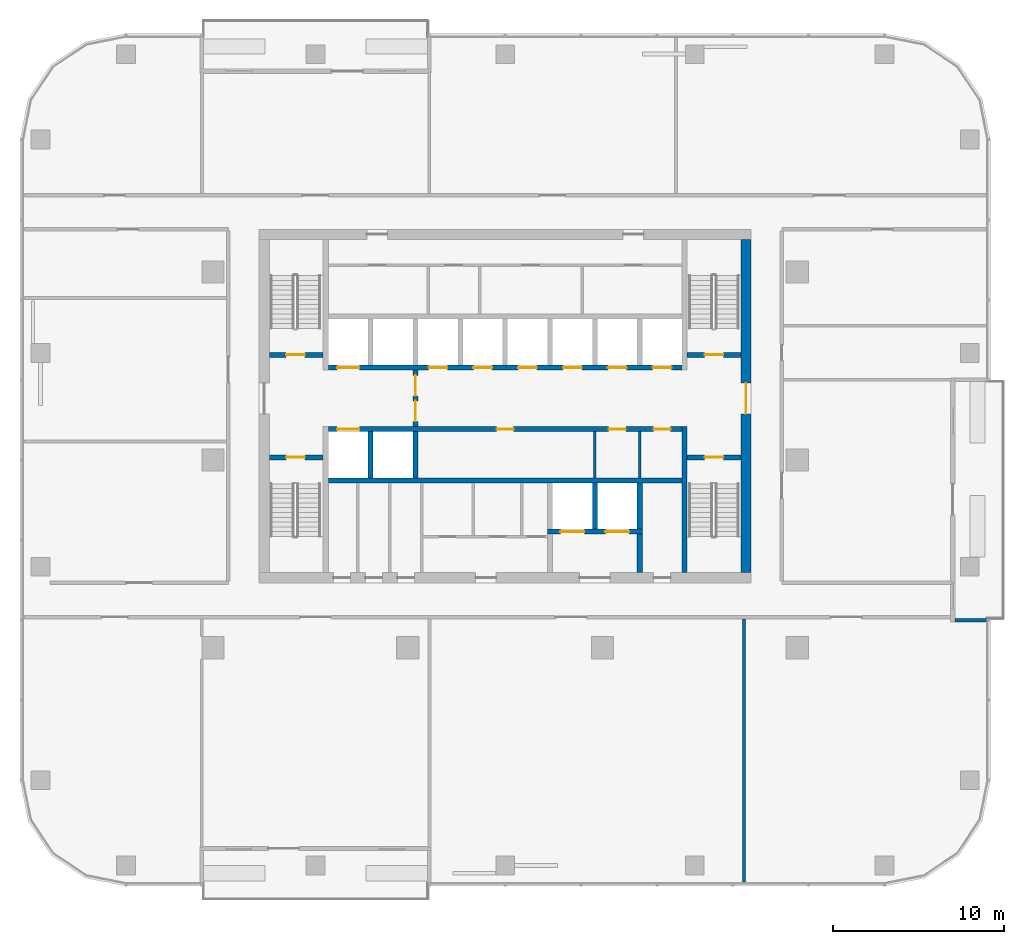
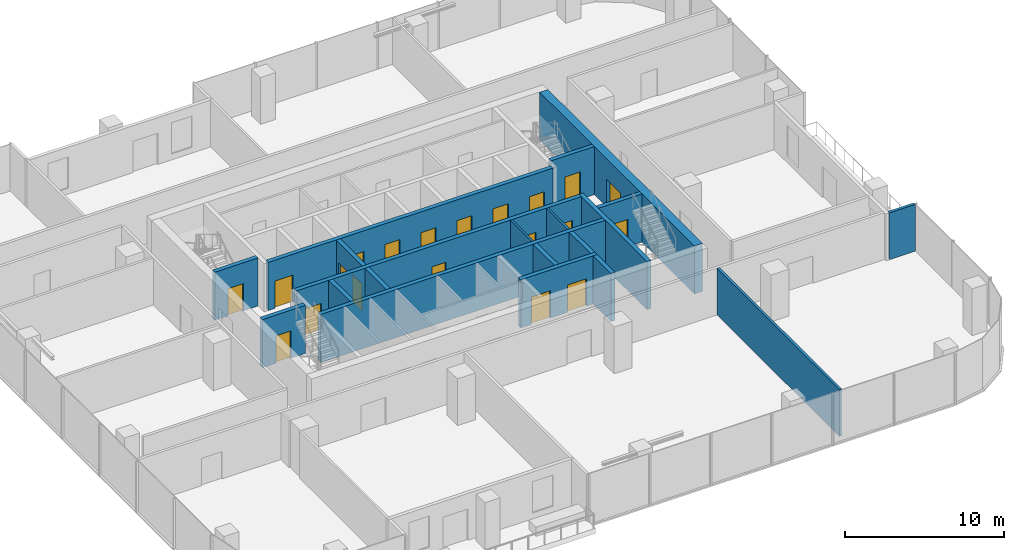
# One storey, part 8 of 14: 20 doors, 20 walls, 20 openings.
"""IFC4 building model written with IfcOpenShell, lengths in metres."""

from ifc_helpers import new_model, si_unit, direction, frame, frame_2d, origin, place, context, subcontext, project, spatial, rectangle, extrude, material, layer, layer_set, type_object, element, fill, save


model = new_model("IFC4")

# Units and contexts
model_context = context("Model", 3, precision=1e-05, world=origin(), true_north=direction((0.0, 1.0)))
body_context = subcontext(model_context, "Body", "Model", "MODEL_VIEW")
ifc_project = project(units=[si_unit("LENGTHUNIT", "METRE"), si_unit("AREAUNIT", "SQUARE_METRE"), si_unit("VOLUMEUNIT", "CUBIC_METRE"), si_unit("PLANEANGLEUNIT", "RADIAN"), si_unit("MASSUNIT", "GRAM", prefix="KILO")], contexts=[model_context])

# Site, building, storey
site_placement = place(None, origin())
site = spatial("IfcSite", under=ifc_project, at=site_placement, CompositionType="ELEMENT")
building_placement = place(site_placement, origin())
building = spatial("IfcBuilding", under=site, at=building_placement, Name="Mopane Tessera Tower", CompositionType="ELEMENT")
storey_placement = place(building_placement, frame((0.0, 0.0, 231.0)))
storey = spatial("IfcBuildingStorey", under=building, at=storey_placement, Name="L49", CompositionType="ELEMENT", Elevation=231.0)

# Walls
ifc_material_1 = material(Name="Fire-rated gypsum board partition")
ifc_layer_1 = layer(ifc_material_1, 0.14990234375)
ifc_layer_set_1 = layer_set([ifc_layer_1], Name="Fire-rated gypsum board partition")
wall_type_1 = type_object("IfcWallType", Name="Core room partition 150 mm", PredefinedType="PARTITIONING", material=ifc_layer_set_1)
for number, where, z_axis, x_axis, name in (
    (1, (5.25, -1.050048828125, 0.0), (0.0, 0.0, 1.0), (0.0, 1.0, 0.0), "L49 Room partition"),
    (2, (7.875, -1.050048828125, 0.0), (0.0, 0.0, 1.0), (0.0, 1.0, 0.0), "L49 Room partition"),
):
    element("IfcWall", number, at=place(storey_placement, frame(where, z_axis=z_axis, x_axis=x_axis)), inside=storey, type_object=wall_type_1, Name=name, PredefinedType="PARTITIONING", context=body_context, shape_type="SweptSolid", body=[
        extrude(rectangle(XDim=2.699951171875, YDim=0.14990234375, at=frame_2d((1.35009765625, 0.0))), origin(), (0.0, 0.0, 1.0), 3.699951171875),
    ])

# Wall, opening, door
ifc_material_2 = material(Name="Concrete C70/85", Category="concrete")
ifc_layer_2 = layer(ifc_material_2, 0.60009765625)
ifc_layer_set_2 = layer_set([ifc_layer_2], Name="Concrete C70/85")
wall_type_2 = type_object("IfcWallType", Name="Core shear wall 600 mm", PredefinedType="SHEAR", material=ifc_layer_set_2)
wall_1_placement = place(storey_placement, frame((14.10009765625, -6.60009765625, 0.0), z_axis=(0.0, 0.0, 1.0), x_axis=(0.0, 1.0, 0.0)))
wall_1 = element("IfcWall", 3, at=wall_1_placement, inside=storey, type_object=wall_type_2, Name="L49 Core wall east", PredefinedType="SHEAR", context=body_context, shape_type="SweptSolid", body=[
    extrude(rectangle(XDim=19.5, YDim=0.60009765625, at=frame_2d((9.75, 0.0))), origin(), (0.0, 0.0, 1.0), 3.699951171875),
])
opening_1_placement = place(wall_1_placement, frame((9.300048828125, 0.0, 0.0)))
opening_1 = element("IfcOpeningElement", 4, at=opening_1_placement, cuts=wall_1, Name="Opening SD2", PredefinedType="OPENING", context=body_context, shape_type="SweptSolid", body=[
    extrude(rectangle(XDim=1.800048828125, YDim=2.10009765625, at=frame_2d((0.89990234375, 1.050048828125))), frame((0.0, 0.31201171875, 0.0), z_axis=(0.0, -1.0, 0.0), x_axis=(1.0, 0.0, 0.0)), (0.0, 0.0, 1.0), 0.6240234375),
])
ifc_material_3 = material(Name="Steel fire door", Category="steel")
door_type_1 = type_object("IfcDoorType", Name="Core entrance double door 1800 x 2100", OperationType="DOUBLE_DOOR_SINGLE_SWING", PredefinedType="DOOR", material=ifc_material_3)
door_1_placement = place(opening_1_placement, origin())
door_1 = element("IfcDoor", 5, at=door_1_placement, inside=storey, type_object=door_type_1, Name="L49 Core entrance door east", OperationType="DOUBLE_DOOR_SINGLE_SWING", OverallHeight=2.10009765625, OverallWidth=1.800048828125, PredefinedType="DOOR", context=body_context, shape_type="SweptSolid", body=[
    extrude(rectangle(XDim=1.800048828125, YDim=2.10009765625, at=frame_2d((0.89990234375, 1.050048828125))), frame((0.0, 0.02490234375, 0.0), z_axis=(0.0, -1.0, 0.0), x_axis=(1.0, 0.0, 0.0)), (0.0, 0.0, 1.0), 0.050048828125),
])
fill(opening_1, door_1)

# Walls
ifc_material_4 = material(Name="Concrete C60/75", Category="concrete")
ifc_layer_3 = layer(ifc_material_4, 0.300048828125)
ifc_layer_set_3 = layer_set([ifc_layer_3], Name="Concrete C60/75")
wall_type_3 = type_object("IfcWallType", Name="Core spine wall 300 mm", PredefinedType="SHEAR", material=ifc_layer_set_3)
wall_2_placement = place(storey_placement, frame((10.5, -6.60009765625, 0.0), z_axis=(0.0, 0.0, 1.0), x_axis=(0.0, 1.0, 0.0)))
element("IfcWall", 6, at=wall_2_placement, inside=storey, type_object=wall_type_3, Name="L49 Core spine wall", PredefinedType="SHEAR", context=body_context, shape_type="SweptSolid", body=[
    extrude(rectangle(XDim=8.550048828125, YDim=0.300048828125, at=frame_2d((4.27490234375, 0.0))), origin(), (0.0, 0.0, 1.0), 3.699951171875),
])
ifc_material_5 = material(Name="Gypsum board on staggered steel studs, double layer each face, acoustic mineral wool infill", Category="steel")
ifc_layer_4 = layer(ifc_material_5, 0.175048828125)
ifc_layer_set_4 = layer_set([ifc_layer_4], Name="Gypsum board on staggered steel studs, double layer each face, acoustic mineral wool infill")
wall_type_4 = type_object("IfcWallType", Name="Gypsum board acoustic partition 175, rated EI 60", PredefinedType="PARTITIONING", material=ifc_layer_set_4)
wall_3_placement = place(storey_placement, frame((13.97509765625, -24.699951171875, 0.0), z_axis=(0.0, 0.0, 1.0), x_axis=(0.0, 1.0, 0.0)))
element("IfcWall", 7, at=wall_3_placement, inside=storey, type_object=wall_type_4, Name="Partition L49:017", PredefinedType="PARTITIONING", context=body_context, shape_type="SweptSolid", body=[
    extrude(rectangle(XDim=15.39990234375, YDim=0.175048828125, at=frame_2d((7.699951171875, 0.0))), origin(), (0.0, 0.0, 1.0), 3.60009765625),
])

# Wall, opening, door
ifc_material_6 = material(Name="Concrete C50/60", Category="concrete")
ifc_layer_5 = layer(ifc_material_6, 0.300048828125)
ifc_layer_set_5 = layer_set([ifc_layer_5], Name="Concrete C50/60")
wall_type_5 = type_object("IfcWallType", Name="Lift and stair shaft wall 300 mm", PredefinedType="SOLIDWALL", material=ifc_layer_set_5)
wall_4_placement = place(storey_placement, frame((-13.800048828125, 0.14990234375, 0.0), z_axis=(0.0, 0.0, 1.0), x_axis=(1.0, 0.0, 0.0)))
wall_4 = element("IfcWall", 8, at=wall_4_placement, inside=storey, type_object=wall_type_5, Name="L49 Stair enclosure wall", PredefinedType="SOLIDWALL", context=body_context, shape_type="SweptSolid", body=[
    extrude(rectangle(XDim=3.150146484375, YDim=0.300048828125, at=frame_2d((1.5751953125, 0.0))), origin(), (0.0, 0.0, 1.0), 3.699951171875),
])
opening_2_placement = place(wall_4_placement, frame((0.97509765625, 0.0, 0.0)))
opening_2 = element("IfcOpeningElement", 9, at=opening_2_placement, cuts=wall_4, Name="Opening SD1", PredefinedType="OPENING", context=body_context, shape_type="SweptSolid", body=[
    extrude(rectangle(XDim=1.10009765625, YDim=2.10009765625, at=frame_2d((0.550048828125, 1.050048828125))), frame((0.0, 0.162109375, 0.0), z_axis=(0.0, -1.0, 0.0), x_axis=(1.0, 0.0, 0.0)), (0.0, 0.0, 1.0), 0.323974609375),
])
ifc_material_7 = material(Name="Steel fire door", Category="steel")
door_type_2 = type_object("IfcDoorType", Name="Stair fire door 1100 x 2100", OperationType="SINGLE_SWING_LEFT", PredefinedType="DOOR", material=ifc_material_7)
door_2_placement = place(opening_2_placement, origin())
door_2 = element("IfcDoor", 10, at=door_2_placement, inside=storey, type_object=door_type_2, Name="L49 Stair door ST1", OperationType="SINGLE_SWING_LEFT", OverallHeight=2.10009765625, OverallWidth=1.10009765625, PredefinedType="DOOR", context=body_context, shape_type="SweptSolid", body=[
    extrude(rectangle(XDim=1.10009765625, YDim=2.10009765625, at=frame_2d((0.550048828125, 1.050048828125))), frame((0.0, 0.02490234375, 0.0), z_axis=(0.0, -1.0, 0.0), x_axis=(1.0, 0.0, 0.0)), (0.0, 0.0, 1.0), 0.050048828125),
])
fill(opening_2, door_2)

wall_5_placement = place(storey_placement, frame((-13.800048828125, 6.14990234375, 0.0), z_axis=(0.0, 0.0, 1.0), x_axis=(1.0, 0.0, 0.0)))
wall_5 = element("IfcWall", 11, at=wall_5_placement, inside=storey, type_object=wall_type_5, Name="L49 Stair enclosure wall", PredefinedType="SOLIDWALL", context=body_context, shape_type="SweptSolid", body=[
    extrude(rectangle(XDim=3.150146484375, YDim=0.300048828125, at=frame_2d((1.5751953125, 0.0))), origin(), (0.0, 0.0, 1.0), 3.699951171875),
])
opening_3_placement = place(wall_5_placement, frame((0.97509765625, 0.0, 0.0)))
opening_3 = element("IfcOpeningElement", 12, at=opening_3_placement, cuts=wall_5, Name="Opening SD1", PredefinedType="OPENING", context=body_context, shape_type="SweptSolid", body=[
    extrude(rectangle(XDim=1.10009765625, YDim=2.10009765625, at=frame_2d((0.550048828125, 1.050048828125))), frame((0.0, 0.162109375, 0.0), z_axis=(0.0, -1.0, 0.0), x_axis=(1.0, 0.0, 0.0)), (0.0, 0.0, 1.0), 0.323974609375),
])
door_3_placement = place(opening_3_placement, origin())
door_3 = element("IfcDoor", 13, at=door_3_placement, inside=storey, type_object=door_type_2, Name="L49 Stair door ST2", OperationType="SINGLE_SWING_LEFT", OverallHeight=2.10009765625, OverallWidth=1.10009765625, PredefinedType="DOOR", context=body_context, shape_type="SweptSolid", body=[
    extrude(rectangle(XDim=1.10009765625, YDim=2.10009765625, at=frame_2d((0.550048828125, 1.050048828125))), frame((0.0, 0.02490234375, 0.0), z_axis=(0.0, -1.0, 0.0), x_axis=(1.0, 0.0, 0.0)), (0.0, 0.0, 1.0), 0.050048828125),
])
fill(opening_3, door_3)

wall_6_placement = place(storey_placement, frame((10.64990234375, 0.14990234375, 0.0), z_axis=(0.0, 0.0, 1.0), x_axis=(1.0, 0.0, 0.0)))
wall_6 = element("IfcWall", 14, at=wall_6_placement, inside=storey, type_object=wall_type_5, Name="L49 Stair enclosure wall", PredefinedType="SOLIDWALL", context=body_context, shape_type="SweptSolid", body=[
    extrude(rectangle(XDim=3.150146484375, YDim=0.300048828125, at=frame_2d((1.5751953125, 0.0))), origin(), (0.0, 0.0, 1.0), 3.699951171875),
])
opening_4_placement = place(wall_6_placement, frame((1.02490234375, 0.0, 0.0)))
opening_4 = element("IfcOpeningElement", 15, at=opening_4_placement, cuts=wall_6, Name="Opening SD1", PredefinedType="OPENING", context=body_context, shape_type="SweptSolid", body=[
    extrude(rectangle(XDim=1.10009765625, YDim=2.10009765625, at=frame_2d((0.550048828125, 1.050048828125))), frame((0.0, 0.162109375, 0.0), z_axis=(0.0, -1.0, 0.0), x_axis=(1.0, 0.0, 0.0)), (0.0, 0.0, 1.0), 0.323974609375),
])
door_4_placement = place(opening_4_placement, origin())
door_4 = element("IfcDoor", 16, at=door_4_placement, inside=storey, type_object=door_type_2, Name="L49 Stair door ST3", OperationType="SINGLE_SWING_RIGHT", OverallHeight=2.10009765625, OverallWidth=1.10009765625, PredefinedType="DOOR", context=body_context, shape_type="SweptSolid", body=[
    extrude(rectangle(XDim=1.10009765625, YDim=2.10009765625, at=frame_2d((0.550048828125, 1.050048828125))), frame((0.0, 0.02490234375, 0.0), z_axis=(0.0, -1.0, 0.0), x_axis=(1.0, 0.0, 0.0)), (0.0, 0.0, 1.0), 0.050048828125),
])
fill(opening_4, door_4)

wall_7_placement = place(storey_placement, frame((10.64990234375, 6.14990234375, 0.0), z_axis=(0.0, 0.0, 1.0), x_axis=(1.0, 0.0, 0.0)))
wall_7 = element("IfcWall", 17, at=wall_7_placement, inside=storey, type_object=wall_type_5, Name="L49 Stair enclosure wall", PredefinedType="SOLIDWALL", context=body_context, shape_type="SweptSolid", body=[
    extrude(rectangle(XDim=3.150146484375, YDim=0.300048828125, at=frame_2d((1.5751953125, 0.0))), origin(), (0.0, 0.0, 1.0), 3.699951171875),
])
opening_5_placement = place(wall_7_placement, frame((1.02490234375, 0.0, 0.0)))
opening_5 = element("IfcOpeningElement", 18, at=opening_5_placement, cuts=wall_7, Name="Opening SD1", PredefinedType="OPENING", context=body_context, shape_type="SweptSolid", body=[
    extrude(rectangle(XDim=1.10009765625, YDim=2.10009765625, at=frame_2d((0.550048828125, 1.050048828125))), frame((0.0, 0.162109375, 0.0), z_axis=(0.0, -1.0, 0.0), x_axis=(1.0, 0.0, 0.0)), (0.0, 0.0, 1.0), 0.323974609375),
])
door_5_placement = place(opening_5_placement, origin())
door_5 = element("IfcDoor", 19, at=door_5_placement, inside=storey, type_object=door_type_2, Name="L49 Stair door ST4", OperationType="SINGLE_SWING_RIGHT", OverallHeight=2.10009765625, OverallWidth=1.10009765625, PredefinedType="DOOR", context=body_context, shape_type="SweptSolid", body=[
    extrude(rectangle(XDim=1.10009765625, YDim=2.10009765625, at=frame_2d((0.550048828125, 1.050048828125))), frame((0.0, 0.02490234375, 0.0), z_axis=(0.0, -1.0, 0.0), x_axis=(1.0, 0.0, 0.0)), (0.0, 0.0, 1.0), 0.050048828125),
])
fill(opening_5, door_5)

# Wall
wall_8_placement = place(storey_placement, frame((-10.35009765625, -1.199951171875, 0.0), z_axis=(0.0, 0.0, 1.0), x_axis=(1.0, 0.0, 0.0)))
element("IfcWall", 20, at=wall_8_placement, inside=storey, type_object=wall_type_5, Name="L49 Lift shaft rear wall", PredefinedType="SOLIDWALL", context=body_context, shape_type="SweptSolid", body=[
    extrude(rectangle(XDim=20.7001953125, YDim=0.300048828125, at=frame_2d((10.35009765625, 0.0))), origin(), (0.0, 0.0, 1.0), 3.699951171875),
])

# Wall, openings, doors
wall_9_placement = place(storey_placement, frame((-10.35009765625, 1.800048828125, 0.0), z_axis=(0.0, 0.0, 1.0), x_axis=(1.0, 0.0, 0.0)))
wall_9 = element("IfcWall", 21, at=wall_9_placement, inside=storey, type_object=wall_type_5, Name="L49 Lift shaft front wall", PredefinedType="SOLIDWALL", context=body_context, shape_type="SweptSolid", body=[
    extrude(rectangle(XDim=20.7001953125, YDim=0.300048828125, at=frame_2d((10.35009765625, 0.0))), origin(), (0.0, 0.0, 1.0), 3.699951171875),
])
opening_6_placement = place(wall_9_placement, frame((0.512451171875, 0.0, 0.0)))
opening_6 = element("IfcOpeningElement", 22, at=opening_6_placement, cuts=wall_9, Name="Opening LD2", PredefinedType="OPENING", context=body_context, shape_type="SweptSolid", body=[
    extrude(rectangle(XDim=1.300048828125, YDim=2.10009765625, at=frame_2d((0.64990234375, 1.050048828125))), frame((0.0, 0.162109375, 0.0), z_axis=(0.0, -1.0, 0.0), x_axis=(1.0, 0.0, 0.0)), (0.0, 0.0, 1.0), 0.323974609375),
])
opening_7_placement = place(wall_9_placement, frame((9.85009765625, 0.0, 0.0)))
opening_7 = element("IfcOpeningElement", 23, at=opening_7_placement, cuts=wall_9, Name="Opening RD1", PredefinedType="OPENING", context=body_context, shape_type="SweptSolid", body=[
    extrude(rectangle(XDim=1.0, YDim=2.10009765625, at=frame_2d((0.5, 1.050048828125))), frame((0.0, 0.162109375, 0.0), z_axis=(0.0, -1.0, 0.0), x_axis=(1.0, 0.0, 0.0)), (0.0, 0.0, 1.0), 0.323974609375),
])
opening_8_placement = place(wall_9_placement, frame((16.41259765625, 0.0, 0.0)))
opening_8 = element("IfcOpeningElement", 24, at=opening_8_placement, cuts=wall_9, Name="Opening RD1", PredefinedType="OPENING", context=body_context, shape_type="SweptSolid", body=[
    extrude(rectangle(XDim=1.0, YDim=2.10009765625, at=frame_2d((0.5, 1.050048828125))), frame((0.0, 0.162109375, 0.0), z_axis=(0.0, -1.0, 0.0), x_axis=(1.0, 0.0, 0.0)), (0.0, 0.0, 1.0), 0.323974609375),
])
opening_9_placement = place(wall_9_placement, frame((19.03759765625, 0.0, 0.0)))
opening_9 = element("IfcOpeningElement", 25, at=opening_9_placement, cuts=wall_9, Name="Opening RD1", PredefinedType="OPENING", context=body_context, shape_type="SweptSolid", body=[
    extrude(rectangle(XDim=1.0, YDim=2.10009765625, at=frame_2d((0.5, 1.050048828125))), frame((0.0, 0.162109375, 0.0), z_axis=(0.0, -1.0, 0.0), x_axis=(1.0, 0.0, 0.0)), (0.0, 0.0, 1.0), 0.323974609375),
])
ifc_material_8 = material(Name="Timber door", Category="wood")
door_type_3 = type_object("IfcDoorType", Name="Core room door 1000 x 2100", OperationType="SINGLE_SWING_LEFT", PredefinedType="DOOR", material=ifc_material_8)
door_6_placement = place(opening_7_placement, origin())
door_6 = element("IfcDoor", 26, at=door_6_placement, inside=storey, type_object=door_type_3, Name="L49 Room door", OperationType="SINGLE_SWING_LEFT", OverallHeight=2.10009765625, OverallWidth=1.0, PredefinedType="DOOR", context=body_context, shape_type="SweptSolid", body=[
    extrude(rectangle(XDim=1.0, YDim=2.10009765625, at=frame_2d((0.5, 1.050048828125))), frame((0.0, 0.02490234375, 0.0), z_axis=(0.0, -1.0, 0.0), x_axis=(1.0, 0.0, 0.0)), (0.0, 0.0, 1.0), 0.050048828125),
])
fill(opening_7, door_6)
door_7_placement = place(opening_8_placement, origin())
door_7 = element("IfcDoor", 27, at=door_7_placement, inside=storey, type_object=door_type_3, Name="L49 Room door", OperationType="SINGLE_SWING_LEFT", OverallHeight=2.10009765625, OverallWidth=1.0, PredefinedType="DOOR", context=body_context, shape_type="SweptSolid", body=[
    extrude(rectangle(XDim=1.0, YDim=2.10009765625, at=frame_2d((0.5, 1.050048828125))), frame((0.0, 0.02490234375, 0.0), z_axis=(0.0, -1.0, 0.0), x_axis=(1.0, 0.0, 0.0)), (0.0, 0.0, 1.0), 0.050048828125),
])
fill(opening_8, door_7)
door_8_placement = place(opening_9_placement, origin())
door_8 = element("IfcDoor", 28, at=door_8_placement, inside=storey, type_object=door_type_3, Name="L49 Room door", OperationType="SINGLE_SWING_LEFT", OverallHeight=2.10009765625, OverallWidth=1.0, PredefinedType="DOOR", context=body_context, shape_type="SweptSolid", body=[
    extrude(rectangle(XDim=1.0, YDim=2.10009765625, at=frame_2d((0.5, 1.050048828125))), frame((0.0, 0.02490234375, 0.0), z_axis=(0.0, -1.0, 0.0), x_axis=(1.0, 0.0, 0.0)), (0.0, 0.0, 1.0), 0.050048828125),
])
fill(opening_9, door_8)
ifc_material_9 = material(Name="Stainless steel sliding door", Category="steel")
door_type_4 = type_object("IfcDoorType", Name="Fire-fighting lift landing door 1300 x 2100", OperationType="DOUBLE_DOOR_SLIDING", PredefinedType="DOOR", material=ifc_material_9)
door_9_placement = place(opening_6_placement, origin())
door_9 = element("IfcDoor", 29, at=door_9_placement, inside=storey, type_object=door_type_4, Name="L49 Lift landing door FF1", OperationType="DOUBLE_DOOR_SLIDING", OverallHeight=2.10009765625, OverallWidth=1.300048828125, PredefinedType="DOOR", context=body_context, shape_type="SweptSolid", body=[
    extrude(rectangle(XDim=1.300048828125, YDim=2.10009765625, at=frame_2d((0.64990234375, 1.050048828125))), frame((0.0, 0.02490234375, 0.0), z_axis=(0.0, -1.0, 0.0), x_axis=(1.0, 0.0, 0.0)), (0.0, 0.0, 1.0), 0.050048828125),
])
fill(opening_6, door_9)

wall_10_placement = place(storey_placement, frame((-10.35009765625, 5.39990234375, 0.0), z_axis=(0.0, 0.0, 1.0), x_axis=(1.0, 0.0, 0.0)))
wall_10 = element("IfcWall", 30, at=wall_10_placement, inside=storey, type_object=wall_type_5, Name="L49 Lift shaft front wall", PredefinedType="SOLIDWALL", context=body_context, shape_type="SweptSolid", body=[
    extrude(rectangle(XDim=20.7001953125, YDim=0.300048828125, at=frame_2d((10.35009765625, 0.0))), origin(), (0.0, 0.0, 1.0), 3.699951171875),
])
opening_10_placement = place(wall_10_placement, frame((0.512451171875, 0.0, 0.0)))
opening_10 = element("IfcOpeningElement", 31, at=opening_10_placement, cuts=wall_10, Name="Opening LD2", PredefinedType="OPENING", context=body_context, shape_type="SweptSolid", body=[
    extrude(rectangle(XDim=1.300048828125, YDim=2.10009765625, at=frame_2d((0.64990234375, 1.050048828125))), frame((0.0, 0.162109375, 0.0), z_axis=(0.0, -1.0, 0.0), x_axis=(1.0, 0.0, 0.0)), (0.0, 0.0, 1.0), 0.323974609375),
])
opening_11_placement = place(wall_10_placement, frame((5.862548828125, 0.0, 0.0)))
opening_11 = element("IfcOpeningElement", 32, at=opening_11_placement, cuts=wall_10, Name="Opening LD", PredefinedType="OPENING", context=body_context, shape_type="SweptSolid", body=[
    extrude(rectangle(XDim=1.10009765625, YDim=2.10009765625, at=frame_2d((0.550048828125, 1.050048828125))), frame((0.0, 0.162109375, 0.0), z_axis=(0.0, -1.0, 0.0), x_axis=(1.0, 0.0, 0.0)), (0.0, 0.0, 1.0), 0.323974609375),
])
opening_12_placement = place(wall_10_placement, frame((8.487548828125, 0.0, 0.0)))
opening_12 = element("IfcOpeningElement", 33, at=opening_12_placement, cuts=wall_10, Name="Opening LD", PredefinedType="OPENING", context=body_context, shape_type="SweptSolid", body=[
    extrude(rectangle(XDim=1.10009765625, YDim=2.10009765625, at=frame_2d((0.550048828125, 1.050048828125))), frame((0.0, 0.162109375, 0.0), z_axis=(0.0, -1.0, 0.0), x_axis=(1.0, 0.0, 0.0)), (0.0, 0.0, 1.0), 0.323974609375),
])
opening_13_placement = place(wall_10_placement, frame((11.112548828125, 0.0, 0.0)))
opening_13 = element("IfcOpeningElement", 34, at=opening_13_placement, cuts=wall_10, Name="Opening LD", PredefinedType="OPENING", context=body_context, shape_type="SweptSolid", body=[
    extrude(rectangle(XDim=1.10009765625, YDim=2.10009765625, at=frame_2d((0.550048828125, 1.050048828125))), frame((0.0, 0.162109375, 0.0), z_axis=(0.0, -1.0, 0.0), x_axis=(1.0, 0.0, 0.0)), (0.0, 0.0, 1.0), 0.323974609375),
])
opening_14_placement = place(wall_10_placement, frame((13.737548828125, 0.0, 0.0)))
opening_14 = element("IfcOpeningElement", 35, at=opening_14_placement, cuts=wall_10, Name="Opening LD", PredefinedType="OPENING", context=body_context, shape_type="SweptSolid", body=[
    extrude(rectangle(XDim=1.10009765625, YDim=2.10009765625, at=frame_2d((0.550048828125, 1.050048828125))), frame((0.0, 0.162109375, 0.0), z_axis=(0.0, -1.0, 0.0), x_axis=(1.0, 0.0, 0.0)), (0.0, 0.0, 1.0), 0.323974609375),
])
opening_15_placement = place(wall_10_placement, frame((16.362548828125, 0.0, 0.0)))
opening_15 = element("IfcOpeningElement", 36, at=opening_15_placement, cuts=wall_10, Name="Opening LD", PredefinedType="OPENING", context=body_context, shape_type="SweptSolid", body=[
    extrude(rectangle(XDim=1.10009765625, YDim=2.10009765625, at=frame_2d((0.550048828125, 1.050048828125))), frame((0.0, 0.162109375, 0.0), z_axis=(0.0, -1.0, 0.0), x_axis=(1.0, 0.0, 0.0)), (0.0, 0.0, 1.0), 0.323974609375),
])
opening_16_placement = place(wall_10_placement, frame((18.987548828125, 0.0, 0.0)))
opening_16 = element("IfcOpeningElement", 37, at=opening_16_placement, cuts=wall_10, Name="Opening LD", PredefinedType="OPENING", context=body_context, shape_type="SweptSolid", body=[
    extrude(rectangle(XDim=1.10009765625, YDim=2.10009765625, at=frame_2d((0.550048828125, 1.050048828125))), frame((0.0, 0.162109375, 0.0), z_axis=(0.0, -1.0, 0.0), x_axis=(1.0, 0.0, 0.0)), (0.0, 0.0, 1.0), 0.323974609375),
])
door_10_placement = place(opening_10_placement, origin())
door_10 = element("IfcDoor", 38, at=door_10_placement, inside=storey, type_object=door_type_4, Name="L49 Lift landing door FF2", OperationType="DOUBLE_DOOR_SLIDING", OverallHeight=2.10009765625, OverallWidth=1.300048828125, PredefinedType="DOOR", context=body_context, shape_type="SweptSolid", body=[
    extrude(rectangle(XDim=1.300048828125, YDim=2.10009765625, at=frame_2d((0.64990234375, 1.050048828125))), frame((0.0, 0.02490234375, 0.0), z_axis=(0.0, -1.0, 0.0), x_axis=(1.0, 0.0, 0.0)), (0.0, 0.0, 1.0), 0.050048828125),
])
fill(opening_10, door_10)
ifc_material_10 = material(Name="Stainless steel sliding door", Category="steel")
door_type_5 = type_object("IfcDoorType", Name="Lift landing door 1100 x 2100", OperationType="DOUBLE_DOOR_SLIDING", PredefinedType="DOOR", material=ifc_material_10)
door_11_placement = place(opening_11_placement, origin())
door_11 = element("IfcDoor", 39, at=door_11_placement, inside=storey, type_object=door_type_5, Name="L49 Lift landing door HR1", OperationType="DOUBLE_DOOR_SLIDING", OverallHeight=2.10009765625, OverallWidth=1.10009765625, PredefinedType="DOOR", context=body_context, shape_type="SweptSolid", body=[
    extrude(rectangle(XDim=1.10009765625, YDim=2.10009765625, at=frame_2d((0.550048828125, 1.050048828125))), frame((0.0, 0.02490234375, 0.0), z_axis=(0.0, -1.0, 0.0), x_axis=(1.0, 0.0, 0.0)), (0.0, 0.0, 1.0), 0.050048828125),
])
fill(opening_11, door_11)
door_12_placement = place(opening_12_placement, origin())
door_12 = element("IfcDoor", 40, at=door_12_placement, inside=storey, type_object=door_type_5, Name="L49 Lift landing door HR2", OperationType="DOUBLE_DOOR_SLIDING", OverallHeight=2.10009765625, OverallWidth=1.10009765625, PredefinedType="DOOR", context=body_context, shape_type="SweptSolid", body=[
    extrude(rectangle(XDim=1.10009765625, YDim=2.10009765625, at=frame_2d((0.550048828125, 1.050048828125))), frame((0.0, 0.02490234375, 0.0), z_axis=(0.0, -1.0, 0.0), x_axis=(1.0, 0.0, 0.0)), (0.0, 0.0, 1.0), 0.050048828125),
])
fill(opening_12, door_12)
door_13_placement = place(opening_13_placement, origin())
door_13 = element("IfcDoor", 41, at=door_13_placement, inside=storey, type_object=door_type_5, Name="L49 Lift landing door HR3", OperationType="DOUBLE_DOOR_SLIDING", OverallHeight=2.10009765625, OverallWidth=1.10009765625, PredefinedType="DOOR", context=body_context, shape_type="SweptSolid", body=[
    extrude(rectangle(XDim=1.10009765625, YDim=2.10009765625, at=frame_2d((0.550048828125, 1.050048828125))), frame((0.0, 0.02490234375, 0.0), z_axis=(0.0, -1.0, 0.0), x_axis=(1.0, 0.0, 0.0)), (0.0, 0.0, 1.0), 0.050048828125),
])
fill(opening_13, door_13)
door_14_placement = place(opening_14_placement, origin())
door_14 = element("IfcDoor", 42, at=door_14_placement, inside=storey, type_object=door_type_5, Name="L49 Lift landing door HR4", OperationType="DOUBLE_DOOR_SLIDING", OverallHeight=2.10009765625, OverallWidth=1.10009765625, PredefinedType="DOOR", context=body_context, shape_type="SweptSolid", body=[
    extrude(rectangle(XDim=1.10009765625, YDim=2.10009765625, at=frame_2d((0.550048828125, 1.050048828125))), frame((0.0, 0.02490234375, 0.0), z_axis=(0.0, -1.0, 0.0), x_axis=(1.0, 0.0, 0.0)), (0.0, 0.0, 1.0), 0.050048828125),
])
fill(opening_14, door_14)
door_15_placement = place(opening_15_placement, origin())
door_15 = element("IfcDoor", 43, at=door_15_placement, inside=storey, type_object=door_type_5, Name="L49 Lift landing door HR5", OperationType="DOUBLE_DOOR_SLIDING", OverallHeight=2.10009765625, OverallWidth=1.10009765625, PredefinedType="DOOR", context=body_context, shape_type="SweptSolid", body=[
    extrude(rectangle(XDim=1.10009765625, YDim=2.10009765625, at=frame_2d((0.550048828125, 1.050048828125))), frame((0.0, 0.02490234375, 0.0), z_axis=(0.0, -1.0, 0.0), x_axis=(1.0, 0.0, 0.0)), (0.0, 0.0, 1.0), 0.050048828125),
])
fill(opening_15, door_15)
door_16_placement = place(opening_16_placement, origin())
door_16 = element("IfcDoor", 44, at=door_16_placement, inside=storey, type_object=door_type_5, Name="L49 Lift landing door HR6", OperationType="DOUBLE_DOOR_SLIDING", OverallHeight=2.10009765625, OverallWidth=1.10009765625, PredefinedType="DOOR", context=body_context, shape_type="SweptSolid", body=[
    extrude(rectangle(XDim=1.10009765625, YDim=2.10009765625, at=frame_2d((0.550048828125, 1.050048828125))), frame((0.0, 0.02490234375, 0.0), z_axis=(0.0, -1.0, 0.0), x_axis=(1.0, 0.0, 0.0)), (0.0, 0.0, 1.0), 0.050048828125),
])
fill(opening_16, door_16)

# Walls
for number, where, z_axis, x_axis, name in (
    (45, (-7.875, -1.050048828125, 0.0), (0.0, 0.0, 1.0), (0.0, 1.0, 0.0), "L49 Lift shaft wall"),
    (46, (-5.25, -1.050048828125, 0.0), (0.0, 0.0, 1.0), (0.0, 1.0, 0.0), "L49 Lift shaft wall"),
):
    element("IfcWall", number, at=place(storey_placement, frame(where, z_axis=z_axis, x_axis=x_axis)), inside=storey, type_object=wall_type_5, Name=name, PredefinedType="SOLIDWALL", context=body_context, shape_type="SweptSolid", body=[
        extrude(rectangle(XDim=2.699951171875, YDim=0.300048828125, at=frame_2d((1.35009765625, 0.0))), origin(), (0.0, 0.0, 1.0), 3.699951171875),
    ])

# Wall, openings, doors
wall_11_placement = place(storey_placement, frame((2.47509765625, -4.199951171875, 0.0), z_axis=(0.0, 0.0, 1.0), x_axis=(1.0, 0.0, 0.0)))
wall_11 = element("IfcWall", 47, at=wall_11_placement, inside=storey, type_object=wall_type_5, Name="L49 Lift shaft front wall", PredefinedType="SOLIDWALL", context=body_context, shape_type="SweptSolid", body=[
    extrude(rectangle(XDim=5.5498046875, YDim=0.300048828125, at=frame_2d((2.77490234375, 0.0))), origin(), (0.0, 0.0, 1.0), 3.699951171875),
])
opening_17_placement = place(wall_11_placement, frame((0.762451171875, 0.0, 0.0)))
opening_17 = element("IfcOpeningElement", 48, at=opening_17_placement, cuts=wall_11, Name="Opening LD3", PredefinedType="OPENING", context=body_context, shape_type="SweptSolid", body=[
    extrude(rectangle(XDim=1.39990234375, YDim=2.10009765625, at=frame_2d((0.699951171875, 1.050048828125))), frame((0.0, 0.162109375, 0.0), z_axis=(0.0, -1.0, 0.0), x_axis=(1.0, 0.0, 0.0)), (0.0, 0.0, 1.0), 0.323974609375),
])
opening_18_placement = place(wall_11_placement, frame((3.387451171875, 0.0, 0.0)))
opening_18 = element("IfcOpeningElement", 49, at=opening_18_placement, cuts=wall_11, Name="Opening LD3", PredefinedType="OPENING", context=body_context, shape_type="SweptSolid", body=[
    extrude(rectangle(XDim=1.39990234375, YDim=2.10009765625, at=frame_2d((0.699951171875, 1.050048828125))), frame((0.0, 0.162109375, 0.0), z_axis=(0.0, -1.0, 0.0), x_axis=(1.0, 0.0, 0.0)), (0.0, 0.0, 1.0), 0.323974609375),
])
ifc_material_11 = material(Name="Stainless steel sliding door", Category="steel")
door_type_6 = type_object("IfcDoorType", Name="Service lift landing door 1400 x 2100", OperationType="DOUBLE_DOOR_SLIDING", PredefinedType="DOOR", material=ifc_material_11)
door_17_placement = place(opening_17_placement, origin())
door_17 = element("IfcDoor", 50, at=door_17_placement, inside=storey, type_object=door_type_6, Name="L49 Lift landing door SV1", OperationType="DOUBLE_DOOR_SLIDING", OverallHeight=2.10009765625, OverallWidth=1.39990234375, PredefinedType="DOOR", context=body_context, shape_type="SweptSolid", body=[
    extrude(rectangle(XDim=1.39990234375, YDim=2.10009765625, at=frame_2d((0.699951171875, 1.050048828125))), frame((0.0, 0.02490234375, 0.0), z_axis=(0.0, -1.0, 0.0), x_axis=(1.0, 0.0, 0.0)), (0.0, 0.0, 1.0), 0.050048828125),
])
fill(opening_17, door_17)
door_18_placement = place(opening_18_placement, origin())
door_18 = element("IfcDoor", 51, at=door_18_placement, inside=storey, type_object=door_type_6, Name="L49 Lift landing door SV2", OperationType="DOUBLE_DOOR_SLIDING", OverallHeight=2.10009765625, OverallWidth=1.39990234375, PredefinedType="DOOR", context=body_context, shape_type="SweptSolid", body=[
    extrude(rectangle(XDim=1.39990234375, YDim=2.10009765625, at=frame_2d((0.699951171875, 1.050048828125))), frame((0.0, 0.02490234375, 0.0), z_axis=(0.0, -1.0, 0.0), x_axis=(1.0, 0.0, 0.0)), (0.0, 0.0, 1.0), 0.050048828125),
])
fill(opening_18, door_18)

# Walls
for number, where, z_axis, x_axis, name in (
    (52, (5.25, -4.050048828125, 0.0), (0.0, 0.0, 1.0), (0.0, 1.0, 0.0), "L49 Lift shaft wall"),
    (53, (7.875, -4.050048828125, 0.0), (0.0, 0.0, 1.0), (0.0, 1.0, 0.0), "L49 Lift shaft wall"),
):
    element("IfcWall", number, at=place(storey_placement, frame(where, z_axis=z_axis, x_axis=x_axis)), inside=storey, type_object=wall_type_5, Name=name, PredefinedType="SOLIDWALL", context=body_context, shape_type="SweptSolid", body=[
        extrude(rectangle(XDim=2.699951171875, YDim=0.300048828125, at=frame_2d((1.35009765625, 0.0))), origin(), (0.0, 0.0, 1.0), 3.699951171875),
    ])

# Wall, openings, doors
ifc_material_12 = material(Name="Concrete C50/60", Category="concrete")
ifc_layer_6 = layer(ifc_material_12, 0.300048828125)
ifc_layer_set_6 = layer_set([ifc_layer_6], Name="Concrete C50/60")
wall_type_6 = type_object("IfcWallType", Name="Lobby and refuge room wall 300 mm", PredefinedType="SOLIDWALL", material=ifc_layer_set_6)
wall_12_placement = place(storey_placement, frame((-5.25, 1.949951171875, 0.0), z_axis=(0.0, 0.0, 1.0), x_axis=(0.0, 1.0, 0.0)))
wall_12 = element("IfcWall", 54, at=wall_12_placement, inside=storey, type_object=wall_type_6, Name="L49 Fire-fighting lobby wall", PredefinedType="SOLIDWALL", context=body_context, shape_type="SweptSolid", body=[
    extrude(rectangle(XDim=3.300048828125, YDim=0.300048828125, at=frame_2d((1.64990234375, 0.0))), origin(), (0.0, 0.0, 1.0), 3.699951171875),
])
opening_19_placement = place(wall_12_placement, frame((0.300048828125, 0.0, 0.0)))
opening_19 = element("IfcOpeningElement", 55, at=opening_19_placement, cuts=wall_12, Name="Opening SD3", PredefinedType="OPENING", context=body_context, shape_type="SweptSolid", body=[
    extrude(rectangle(XDim=1.199951171875, YDim=2.10009765625, at=frame_2d((0.60009765625, 1.050048828125))), frame((0.0, 0.162109375, 0.0), z_axis=(0.0, -1.0, 0.0), x_axis=(1.0, 0.0, 0.0)), (0.0, 0.0, 1.0), 0.323974609375),
])
opening_20_placement = place(wall_12_placement, frame((1.800048828125, 0.0, 0.0)))
opening_20 = element("IfcOpeningElement", 56, at=opening_20_placement, cuts=wall_12, Name="Opening SD3", PredefinedType="OPENING", context=body_context, shape_type="SweptSolid", body=[
    extrude(rectangle(XDim=1.199951171875, YDim=2.10009765625, at=frame_2d((0.60009765625, 1.050048828125))), frame((0.0, 0.162109375, 0.0), z_axis=(0.0, -1.0, 0.0), x_axis=(1.0, 0.0, 0.0)), (0.0, 0.0, 1.0), 0.323974609375),
])
ifc_material_13 = material(Name="Steel fire door", Category="steel")
door_type_7 = type_object("IfcDoorType", Name="Lobby fire door 1200 x 2100", OperationType="SINGLE_SWING_LEFT", PredefinedType="DOOR", material=ifc_material_13)
door_19_placement = place(opening_19_placement, origin())
door_19 = element("IfcDoor", 57, at=door_19_placement, inside=storey, type_object=door_type_7, Name="L49 Fire-fighting lobby door", OperationType="SINGLE_SWING_LEFT", OverallHeight=2.10009765625, OverallWidth=1.199951171875, PredefinedType="DOOR", context=body_context, shape_type="SweptSolid", body=[
    extrude(rectangle(XDim=1.199951171875, YDim=2.10009765625, at=frame_2d((0.60009765625, 1.050048828125))), frame((0.0, 0.02490234375, 0.0), z_axis=(0.0, -1.0, 0.0), x_axis=(1.0, 0.0, 0.0)), (0.0, 0.0, 1.0), 0.050048828125),
])
fill(opening_19, door_19)
door_20_placement = place(opening_20_placement, origin())
door_20 = element("IfcDoor", 58, at=door_20_placement, inside=storey, type_object=door_type_7, Name="L49 Fire-fighting lobby door", OperationType="SINGLE_SWING_RIGHT", OverallHeight=2.10009765625, OverallWidth=1.199951171875, PredefinedType="DOOR", context=body_context, shape_type="SweptSolid", body=[
    extrude(rectangle(XDim=1.199951171875, YDim=2.10009765625, at=frame_2d((0.60009765625, 1.050048828125))), frame((0.0, 0.02490234375, 0.0), z_axis=(0.0, -1.0, 0.0), x_axis=(1.0, 0.0, 0.0)), (0.0, 0.0, 1.0), 0.050048828125),
])
fill(opening_20, door_20)

# Walls
wall_13_placement = place(storey_placement, frame((7.875, -6.60009765625, 0.0), z_axis=(0.0, 0.0, 1.0), x_axis=(0.0, 1.0, 0.0)))
element("IfcWall", 59, at=wall_13_placement, inside=storey, type_object=wall_type_6, Name="L49 Service lobby wall", PredefinedType="SOLIDWALL", context=body_context, shape_type="SweptSolid", body=[
    extrude(rectangle(XDim=2.25, YDim=0.300048828125, at=frame_2d((1.125, 0.0))), origin(), (0.0, 0.0, 1.0), 3.699951171875),
])
ifc_material_14 = material(Name="Blockwork with glazed tile facing", Category="masonry")
ifc_layer_7 = layer(ifc_material_14, 0.199951171875)
ifc_layer_set_7 = layer_set([ifc_layer_7], Name="Blockwork with glazed tile facing")
wall_type_7 = type_object("IfcWallType", Name="Terrace cheek wall 200", PredefinedType="STANDARD", material=ifc_layer_set_7)
wall_14_placement = place(storey_placement, frame((28.199951171875, -9.375, 0.0), z_axis=(0.0, 0.0, 1.0), x_axis=(-1.0, 0.0, 0.0)))
element("IfcWall", 60, at=wall_14_placement, inside=storey, type_object=wall_type_7, Name="e:nw:L49:N2:cheeka", PredefinedType="STANDARD", context=body_context, shape_type="SweptSolid", body=[
    extrude(rectangle(XDim=1.875, YDim=0.199951171875, at=frame_2d((0.9375, 0.0))), origin(), (0.0, 0.0, 1.0), 3.60009765625),
])

save(model, "model.ifc")
